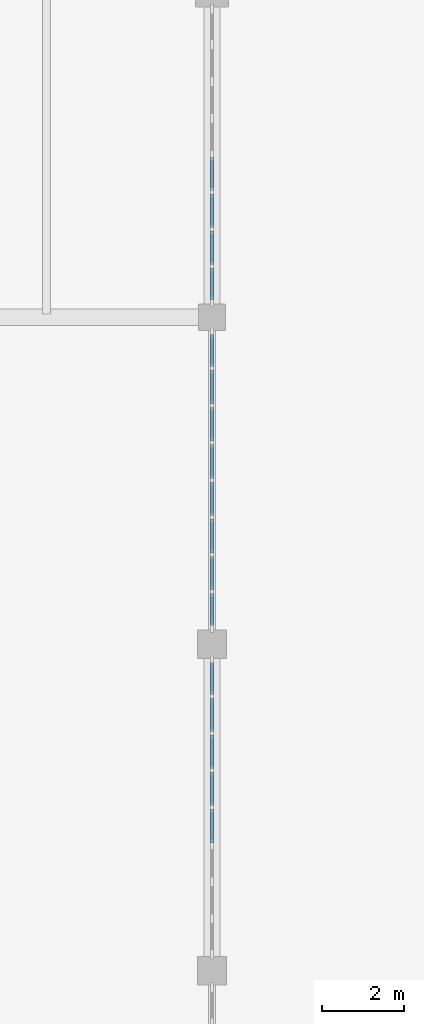
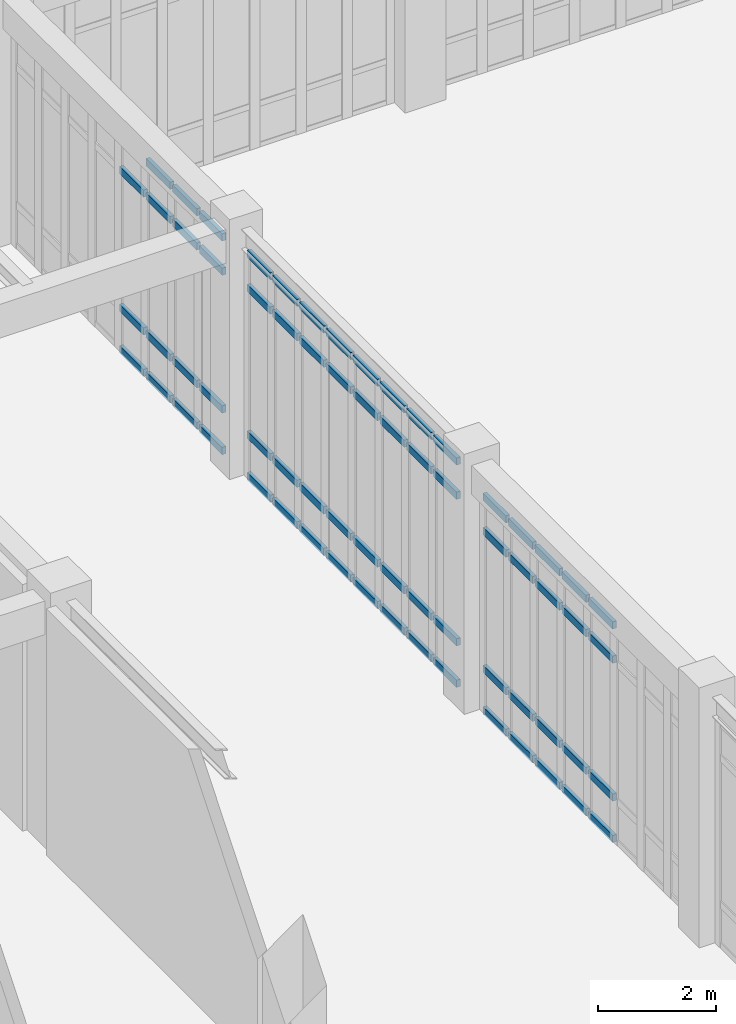
# One storey, part 23 of 62: 67 members, 3 elements without a shape of their own.
"""IFC4 building model written with IfcOpenShell, lengths in metres."""

import ifcopenshell
import ifcopenshell.guid

model = None  # the IFC model being written
_history = None  # IfcOwnerHistory: only IFC2X3 demands one
_inside = {}  # id of a spatial element -> (the spatial element, [elements in it])
_under = {}  # id of a project, library or spatial element -> (it, [spatial elements below it])
_declared = {}  # id of a project -> (the project, [libraries it declares])
_typed = {}  # id of a type object -> (the type object, [elements of that type])
_made_of = {}  # id of a material, layer set ... -> (it, [elements and type objects made of it])


def new_model(schema):
    """Start an empty IFC model of exactly this schema.

    Asked for "IFC4X3", IfcOpenShell would pick the latest addendum, in which some entities
    have other attributes; the version numbers below select the first issue.
    IFC2X3 requires an IfcOwnerHistory on every rooted entity: one is made here for all.
    """
    global model, _history
    if schema == "IFC4X3":
        model = ifcopenshell.file(schema_version=(4, 3, 0, 0))
    else:
        model = ifcopenshell.file(schema=schema)
    _inside.clear()
    _under.clear()
    _declared.clear()
    _typed.clear()
    _made_of.clear()
    _history = None
    if model.schema == "IFC2X3":
        org = make("IfcOrganization", Name="unknown")
        user = make(
            "IfcPersonAndOrganization",
            ThePerson=make("IfcPerson", FamilyName="unknown"),
            TheOrganization=org,
        )
        app = make(
            "IfcApplication",
            ApplicationDeveloper=org,
            Version="unknown",
            ApplicationFullName="unknown",
            ApplicationIdentifier="unknown",
        )
        _history = make(
            "IfcOwnerHistory",
            OwningUser=user,
            OwningApplication=app,
            ChangeAction="ADDED",
            CreationDate=0,
        )
    return model


def make(cls, **values):
    """One entity of the class cls with the attributes given. An attribute that is None is left unset."""
    return model.create_entity(
        cls, **{name: value for name, value in values.items() if value is not None}
    )


def rooted(cls, **values):
    """An entity with a GlobalId (a new one), such as an element, a storey or a relation."""
    return make(cls, GlobalId=ifcopenshell.guid.new(), OwnerHistory=_history, **values)


def si_unit(unit_type, name, prefix=None):
    """IfcSIUnit, for example si_unit("LENGTHUNIT", "METRE", prefix="MILLI")."""
    return make("IfcSIUnit", UnitType=unit_type, Prefix=prefix, Name=name)


def assignment(units):
    """IfcUnitAssignment: the units of a project."""
    return None if units is None else make("IfcUnitAssignment", Units=units)


def point(xyz):
    """IfcCartesianPoint."""
    return None if xyz is None else make("IfcCartesianPoint", Coordinates=xyz)


def direction(xyz):
    """IfcDirection."""
    return None if xyz is None else make("IfcDirection", DirectionRatios=xyz)


def frame(location, z_axis=None, x_axis=None):
    """IfcAxis2Placement3D, a coordinate frame: its origin and axes. An axis left out is left unset."""
    return make(
        "IfcAxis2Placement3D",
        Location=point(location),
        Axis=direction(z_axis),
        RefDirection=direction(x_axis),
    )


def frame_2d(location, x_axis=None):
    """IfcAxis2Placement2D, a coordinate frame in the plane: its origin and x axis."""
    return make(
        "IfcAxis2Placement2D", Location=point(location), RefDirection=direction(x_axis)
    )


def origin():
    """The frame at (0, 0, 0) with its axes left unset."""
    return frame((0.0, 0.0, 0.0))


def origin_2d():
    """The frame at (0, 0) in the plane with its x axis left unset."""
    return frame_2d((0.0, 0.0))


def place(relative_to, where):
    """IfcLocalPlacement: puts the frame where relative to a parent placement (None: the world)."""
    return make(
        "IfcLocalPlacement", PlacementRelTo=relative_to, RelativePlacement=where
    )


def context(
    kind, dimensions, precision=None, world=None, true_north=None, identifier=None
):
    """IfcGeometricRepresentationContext, for example the 3D "Model" context."""
    return make(
        "IfcGeometricRepresentationContext",
        ContextIdentifier=identifier,
        ContextType=kind,
        CoordinateSpaceDimension=dimensions,
        Precision=precision,
        WorldCoordinateSystem=world,
        TrueNorth=true_north,
    )


def subcontext(parent, identifier, kind, view, scale=None):
    """IfcGeometricRepresentationSubContext, for example "Body" below "Model"."""
    return make(
        "IfcGeometricRepresentationSubContext",
        ContextIdentifier=identifier,
        ContextType=kind,
        ParentContext=parent,
        TargetScale=scale,
        TargetView=view,
    )


def project(units=None, contexts=None):
    """IfcProject with its units and contexts."""
    return rooted(
        "IfcProject",
        Name="project",
        RepresentationContexts=contexts,
        UnitsInContext=assignment(units),
    )


def spatial(cls, under=None, at=None, **own):
    """A site, building, storey or space (cls), placed at a placement, below another one or the project."""
    s = rooted(cls, ObjectPlacement=at, **own)
    if under is not None:
        _under.setdefault(under.id(), (under, []))[1].append(s)
    return s


def profile(cls, at=None, kind="AREA", **sizes):
    """A parametric profile (cls). Its sizes go by their IFC names, for example OverallWidth=200.0."""
    return make(cls, ProfileType=kind, Position=at, **sizes)


def rectangle(**sizes):
    """IfcRectangleProfileDef."""
    return profile("IfcRectangleProfileDef", **sizes)


def extrude(swept, where, along, depth):
    """IfcExtrudedAreaSolid: the profile swept, set in the frame where, extruded along a direction by depth."""
    return make(
        "IfcExtrudedAreaSolid",
        SweptArea=swept,
        Position=where,
        ExtrudedDirection=direction(along),
        Depth=depth,
    )


def shape(context_of_items, identifier, shape_type, items):
    """IfcShapeRepresentation: the items that make up one representation, for example the "Body"."""
    return make(
        "IfcShapeRepresentation",
        ContextOfItems=context_of_items,
        RepresentationIdentifier=identifier,
        RepresentationType=shape_type,
        Items=items,
    )


def material(Name=None, Category=None):
    """IfcMaterial."""
    return make("IfcMaterial", Name=Name, Category=Category)


def material_profile(
    of_material, cross_section, Name=None, Category=None, Priority=None
):
    """IfcMaterialProfile: a cross section and its material."""
    return make(
        "IfcMaterialProfile",
        Name=Name,
        Material=of_material,
        Profile=cross_section,
        Priority=Priority,
        Category=Category,
    )


def profile_set(profiles, Name=None, composite=None):
    """IfcMaterialProfileSet."""
    return make(
        "IfcMaterialProfileSet",
        Name=Name,
        MaterialProfiles=profiles,
        CompositeProfile=composite,
    )


def made_of(thing, what):
    """Note that an element or type object is made of a material, layer set ...; save() writes the relation."""
    if what is not None:
        _made_of.setdefault(what.id(), (what, []))[1].append(thing)
    return thing


def type_object(cls, material=None, **own):
    """A type object (cls), such as IfcWallType, which elements share."""
    return made_of(rooted(cls, **own), material)


def element(
    cls,
    number,
    at=None,
    inside=None,
    cuts=None,
    type_object=None,
    material=None,
    context=None,
    identifier="Body",
    shape_type=None,
    held_by="IfcProductDefinitionShape",
    body=None,
    shapes=None,
    **own,
):
    """One element of the class cls, such as IfcWall. Its Tag is "e" and its number.

    at: its placement. inside: the storey or other place that contains it. cuts: it is an
    opening in that element (IfcRelVoidsElement). A single representation is given by context,
    identifier, shape_type and body (its items); several are given by shapes. held_by: the class
    of the entity that holds the representations. save() writes the other relations.
    """
    e = rooted(cls, Tag="e%d" % number, ObjectPlacement=at, **own)
    if body is not None:
        shapes = [shape(context, identifier, shape_type, body)]
    if shapes is not None:
        e.Representation = make(held_by, Representations=shapes)
    if inside is not None:
        _inside.setdefault(inside.id(), (inside, []))[1].append(e)
    if cuts is not None:
        rooted(
            "IfcRelVoidsElement", RelatingBuildingElement=cuts, RelatedOpeningElement=e
        )
    if type_object is not None:
        _typed.setdefault(type_object.id(), (type_object, []))[1].append(e)
    return made_of(e, material)


def aggregate(whole, parts):
    """IfcRelAggregates: a whole, such as a stair, and the parts it consists of."""
    return rooted("IfcRelAggregates", RelatingObject=whole, RelatedObjects=parts)


def save(model, path):
    """Write the relations noted so far, then the file.

    IfcRelAggregates (storeys below a building ...), IfcRelContainedInSpatialStructure (elements
    in a storey), IfcRelDefinesByType, IfcRelAssociatesMaterial and IfcRelDeclares: one each for
    every whole, place, type object, material and project.
    """
    for whole, parts in _under.values():
        aggregate(whole, parts)
    for where, things in _inside.values():
        rooted(
            "IfcRelContainedInSpatialStructure",
            RelatedElements=things,
            RelatingStructure=where,
        )
    for kind, things in _typed.values():
        rooted("IfcRelDefinesByType", RelatedObjects=things, RelatingType=kind)
    for what, things in _made_of.values():
        rooted("IfcRelAssociatesMaterial", RelatedObjects=things, RelatingMaterial=what)
    for by, libraries in _declared.values():
        rooted("IfcRelDeclares", RelatingContext=by, RelatedDefinitions=libraries)
    model.write(path)


model = new_model("IFC4")

# Units and contexts
model_context = context("Model", 3, precision=1e-05, world=origin(), true_north=direction((0.0, 1.0)))
body_context = subcontext(model_context, "Body", "Model", "MODEL_VIEW")
ifc_project = project(units=[si_unit("LENGTHUNIT", "METRE"), si_unit("AREAUNIT", "SQUARE_METRE"), si_unit("VOLUMEUNIT", "CUBIC_METRE"), si_unit("PLANEANGLEUNIT", "RADIAN"), si_unit("MASSUNIT", "GRAM", prefix="KILO")], contexts=[model_context])

# Site, building, storey
site_placement = place(None, origin())
site = spatial("IfcSite", under=ifc_project, at=site_placement, CompositionType="ELEMENT")
building_placement = place(site_placement, origin())
building = spatial("IfcBuilding", under=site, at=building_placement, Name="Tarnveldt Square Police Headquarters", CompositionType="ELEMENT")
storey_placement = place(building_placement, origin())
storey = spatial("IfcBuildingStorey", under=building, at=storey_placement, Name="L00", CompositionType="ELEMENT", Elevation=0.0)

# Curtain wall, members
ifc_material_1 = material(Name="Triple-glazed low-e laminated vision glass", Category="glass")
curtain_wall_type_1 = type_object("IfcCurtainWallType", Name="CW-WG-727x451", PredefinedType="USERDEFINED", material=ifc_material_1)
curtain_wall_1_placement = place(storey_placement, origin())
curtain_wall_1 = element("IfcCurtainWall", 1, at=curtain_wall_1_placement, inside=storey, type_object=curtain_wall_type_1, Name="L00 Curtain Wall CW-L00-064", ObjectType="GLAZED CURTAIN WALL", PredefinedType="USERDEFINED")
ifc_material_2 = material(Name="Thermally broken anodised aluminium 6063-T6", Category="aluminium")
ifc_material_profile = material_profile(ifc_material_2, rectangle(XDim=0.074951171875, YDim=0.14990234375, at=origin_2d()), Name="CW-T75x150")
ifc_profile_set = profile_set([ifc_material_profile], Name="Thermally broken anodised aluminium 6063-T6")
member_type = type_object("IfcMemberType", Name="CWT-75x150", PredefinedType="USERDEFINED", material=ifc_profile_set)
member_1_placement = place(storey_placement, frame((48.60009765625, 75.1337890625, 0.03759765625), z_axis=(0.0, 1.0, 0.0), x_axis=(-1.0, 0.0, 0.0)))
member_1 = element("IfcMember", 2, at=member_1_placement, type_object=member_type, Name="CW-WG24 transom 4.1", ObjectType="TRANSOM", PredefinedType="USERDEFINED", context=body_context, shape_type="SweptSolid", body=[
    extrude(rectangle(XDim=0.074951171875, YDim=0.14990234375, at=origin_2d()), origin(), (0.0, 0.0, 1.0), 0.82373046875),
])
member_2_placement = place(storey_placement, frame((48.60009765625, 75.1337890625, 0.89990234375), z_axis=(0.0, 1.0, 0.0), x_axis=(-1.0, 0.0, 0.0)))
member_2 = element("IfcMember", 3, at=member_2_placement, type_object=member_type, Name="CW-WG24 transom 4.2", ObjectType="TRANSOM", PredefinedType="USERDEFINED", context=body_context, shape_type="SweptSolid", body=[
    extrude(rectangle(XDim=0.074951171875, YDim=0.14990234375, at=origin_2d()), origin(), (0.0, 0.0, 1.0), 0.82373046875),
])
member_3_placement = place(storey_placement, frame((48.60009765625, 75.1337890625, 3.761962890625), z_axis=(0.0, 1.0, 0.0), x_axis=(-1.0, 0.0, 0.0)))
member_3 = element("IfcMember", 4, at=member_3_placement, type_object=member_type, Name="CW-WG24 transom 4.3", ObjectType="TRANSOM", PredefinedType="USERDEFINED", context=body_context, shape_type="SweptSolid", body=[
    extrude(rectangle(XDim=0.074951171875, YDim=0.14990234375, at=origin_2d()), origin(), (0.0, 0.0, 1.0), 0.82373046875),
])
member_4_placement = place(storey_placement, frame((48.60009765625, 75.1337890625, 4.474609375), z_axis=(0.0, 1.0, 0.0), x_axis=(-1.0, 0.0, 0.0)))
member_4 = element("IfcMember", 5, at=member_4_placement, type_object=member_type, Name="CW-WG24 transom 4.4", ObjectType="TRANSOM", PredefinedType="USERDEFINED", context=body_context, shape_type="SweptSolid", body=[
    extrude(rectangle(XDim=0.074951171875, YDim=0.14990234375, at=origin_2d()), origin(), (0.0, 0.0, 1.0), 0.82373046875),
])
member_5_placement = place(storey_placement, frame((48.60009765625, 76.04248046875, 0.03759765625), z_axis=(0.0, 1.0, 0.0), x_axis=(-1.0, 0.0, 0.0)))
member_5 = element("IfcMember", 6, at=member_5_placement, type_object=member_type, Name="CW-WG24 transom 5.1", ObjectType="TRANSOM", PredefinedType="USERDEFINED", context=body_context, shape_type="SweptSolid", body=[
    extrude(rectangle(XDim=0.074951171875, YDim=0.14990234375, at=origin_2d()), origin(), (0.0, 0.0, 1.0), 0.82373046875),
])
member_6_placement = place(storey_placement, frame((48.60009765625, 76.04248046875, 0.89990234375), z_axis=(0.0, 1.0, 0.0), x_axis=(-1.0, 0.0, 0.0)))
member_6 = element("IfcMember", 7, at=member_6_placement, type_object=member_type, Name="CW-WG24 transom 5.2", ObjectType="TRANSOM", PredefinedType="USERDEFINED", context=body_context, shape_type="SweptSolid", body=[
    extrude(rectangle(XDim=0.074951171875, YDim=0.14990234375, at=origin_2d()), origin(), (0.0, 0.0, 1.0), 0.82373046875),
])
member_7_placement = place(storey_placement, frame((48.60009765625, 76.04248046875, 3.761962890625), z_axis=(0.0, 1.0, 0.0), x_axis=(-1.0, 0.0, 0.0)))
member_7 = element("IfcMember", 8, at=member_7_placement, type_object=member_type, Name="CW-WG24 transom 5.3", ObjectType="TRANSOM", PredefinedType="USERDEFINED", context=body_context, shape_type="SweptSolid", body=[
    extrude(rectangle(XDim=0.074951171875, YDim=0.14990234375, at=origin_2d()), origin(), (0.0, 0.0, 1.0), 0.82373046875),
])
member_8_placement = place(storey_placement, frame((48.60009765625, 76.04248046875, 4.474609375), z_axis=(0.0, 1.0, 0.0), x_axis=(-1.0, 0.0, 0.0)))
member_8 = element("IfcMember", 9, at=member_8_placement, type_object=member_type, Name="CW-WG24 transom 5.4", ObjectType="TRANSOM", PredefinedType="USERDEFINED", context=body_context, shape_type="SweptSolid", body=[
    extrude(rectangle(XDim=0.074951171875, YDim=0.14990234375, at=origin_2d()), origin(), (0.0, 0.0, 1.0), 0.82373046875),
])
member_9_placement = place(storey_placement, frame((48.60009765625, 76.951171875, 0.03759765625), z_axis=(0.0, 1.0, 0.0), x_axis=(-1.0, 0.0, 0.0)))
member_9 = element("IfcMember", 10, at=member_9_placement, type_object=member_type, Name="CW-WG24 transom 6.1", ObjectType="TRANSOM", PredefinedType="USERDEFINED", context=body_context, shape_type="SweptSolid", body=[
    extrude(rectangle(XDim=0.074951171875, YDim=0.14990234375, at=origin_2d()), origin(), (0.0, 0.0, 1.0), 0.82373046875),
])
member_10_placement = place(storey_placement, frame((48.60009765625, 76.951171875, 0.89990234375), z_axis=(0.0, 1.0, 0.0), x_axis=(-1.0, 0.0, 0.0)))
member_10 = element("IfcMember", 11, at=member_10_placement, type_object=member_type, Name="CW-WG24 transom 6.2", ObjectType="TRANSOM", PredefinedType="USERDEFINED", context=body_context, shape_type="SweptSolid", body=[
    extrude(rectangle(XDim=0.074951171875, YDim=0.14990234375, at=origin_2d()), origin(), (0.0, 0.0, 1.0), 0.82373046875),
])
member_11_placement = place(storey_placement, frame((48.60009765625, 76.951171875, 3.761962890625), z_axis=(0.0, 1.0, 0.0), x_axis=(-1.0, 0.0, 0.0)))
member_11 = element("IfcMember", 12, at=member_11_placement, type_object=member_type, Name="CW-WG24 transom 6.3", ObjectType="TRANSOM", PredefinedType="USERDEFINED", context=body_context, shape_type="SweptSolid", body=[
    extrude(rectangle(XDim=0.074951171875, YDim=0.14990234375, at=origin_2d()), origin(), (0.0, 0.0, 1.0), 0.82373046875),
])
member_12_placement = place(storey_placement, frame((48.60009765625, 76.951171875, 4.474609375), z_axis=(0.0, 1.0, 0.0), x_axis=(-1.0, 0.0, 0.0)))
member_12 = element("IfcMember", 13, at=member_12_placement, type_object=member_type, Name="CW-WG24 transom 6.4", ObjectType="TRANSOM", PredefinedType="USERDEFINED", context=body_context, shape_type="SweptSolid", body=[
    extrude(rectangle(XDim=0.074951171875, YDim=0.14990234375, at=origin_2d()), origin(), (0.0, 0.0, 1.0), 0.82373046875),
])
member_13_placement = place(storey_placement, frame((48.60009765625, 77.860107421875, 0.03759765625), z_axis=(0.0, 1.0, 0.0), x_axis=(-1.0, 0.0, 0.0)))
member_13 = element("IfcMember", 14, at=member_13_placement, type_object=member_type, Name="CW-WG24 transom 7.1", ObjectType="TRANSOM", PredefinedType="USERDEFINED", context=body_context, shape_type="SweptSolid", body=[
    extrude(rectangle(XDim=0.074951171875, YDim=0.14990234375, at=origin_2d()), origin(), (0.0, 0.0, 1.0), 0.82373046875),
])
member_14_placement = place(storey_placement, frame((48.60009765625, 77.860107421875, 0.89990234375), z_axis=(0.0, 1.0, 0.0), x_axis=(-1.0, 0.0, 0.0)))
member_14 = element("IfcMember", 15, at=member_14_placement, type_object=member_type, Name="CW-WG24 transom 7.2", ObjectType="TRANSOM", PredefinedType="USERDEFINED", context=body_context, shape_type="SweptSolid", body=[
    extrude(rectangle(XDim=0.074951171875, YDim=0.14990234375, at=origin_2d()), origin(), (0.0, 0.0, 1.0), 0.82373046875),
])
member_15_placement = place(storey_placement, frame((48.60009765625, 77.860107421875, 3.761962890625), z_axis=(0.0, 1.0, 0.0), x_axis=(-1.0, 0.0, 0.0)))
member_15 = element("IfcMember", 16, at=member_15_placement, type_object=member_type, Name="CW-WG24 transom 7.3", ObjectType="TRANSOM", PredefinedType="USERDEFINED", context=body_context, shape_type="SweptSolid", body=[
    extrude(rectangle(XDim=0.074951171875, YDim=0.14990234375, at=origin_2d()), origin(), (0.0, 0.0, 1.0), 0.82373046875),
])
member_16_placement = place(storey_placement, frame((48.60009765625, 77.860107421875, 4.474609375), z_axis=(0.0, 1.0, 0.0), x_axis=(-1.0, 0.0, 0.0)))
member_16 = element("IfcMember", 17, at=member_16_placement, type_object=member_type, Name="CW-WG24 transom 7.4", ObjectType="TRANSOM", PredefinedType="USERDEFINED", context=body_context, shape_type="SweptSolid", body=[
    extrude(rectangle(XDim=0.074951171875, YDim=0.14990234375, at=origin_2d()), origin(), (0.0, 0.0, 1.0), 0.82373046875),
])
member_17_placement = place(storey_placement, frame((48.60009765625, 78.768798828125, 0.03759765625), z_axis=(0.0, 1.0, 0.0), x_axis=(-1.0, 0.0, 0.0)))
member_17 = element("IfcMember", 18, at=member_17_placement, type_object=member_type, Name="CW-WG24 transom 8.1", ObjectType="TRANSOM", PredefinedType="USERDEFINED", context=body_context, shape_type="SweptSolid", body=[
    extrude(rectangle(XDim=0.074951171875, YDim=0.14990234375, at=origin_2d()), origin(), (0.0, 0.0, 1.0), 0.78125),
])
member_18_placement = place(storey_placement, frame((48.60009765625, 78.768798828125, 0.89990234375), z_axis=(0.0, 1.0, 0.0), x_axis=(-1.0, 0.0, 0.0)))
member_18 = element("IfcMember", 19, at=member_18_placement, type_object=member_type, Name="CW-WG24 transom 8.2", ObjectType="TRANSOM", PredefinedType="USERDEFINED", context=body_context, shape_type="SweptSolid", body=[
    extrude(rectangle(XDim=0.074951171875, YDim=0.14990234375, at=origin_2d()), origin(), (0.0, 0.0, 1.0), 0.78125),
])
member_19_placement = place(storey_placement, frame((48.60009765625, 78.768798828125, 3.761962890625), z_axis=(0.0, 1.0, 0.0), x_axis=(-1.0, 0.0, 0.0)))
member_19 = element("IfcMember", 20, at=member_19_placement, type_object=member_type, Name="CW-WG24 transom 8.3", ObjectType="TRANSOM", PredefinedType="USERDEFINED", context=body_context, shape_type="SweptSolid", body=[
    extrude(rectangle(XDim=0.074951171875, YDim=0.14990234375, at=origin_2d()), origin(), (0.0, 0.0, 1.0), 0.78125),
])
member_20_placement = place(storey_placement, frame((48.60009765625, 78.768798828125, 4.474609375), z_axis=(0.0, 1.0, 0.0), x_axis=(-1.0, 0.0, 0.0)))
member_20 = element("IfcMember", 21, at=member_20_placement, type_object=member_type, Name="CW-WG24 transom 8.4", ObjectType="TRANSOM", PredefinedType="USERDEFINED", context=body_context, shape_type="SweptSolid", body=[
    extrude(rectangle(XDim=0.074951171875, YDim=0.14990234375, at=origin_2d()), origin(), (0.0, 0.0, 1.0), 0.78125),
])
aggregate(curtain_wall_1, [member_1, member_2, member_3, member_4, member_5, member_6, member_7, member_8, member_9, member_10, member_11, member_12, member_13, member_14, member_15, member_16, member_17, member_18, member_19, member_20])

curtain_wall_type_2 = type_object("IfcCurtainWallType", Name="CW-WG-730x470", PredefinedType="USERDEFINED", material=ifc_material_1)
curtain_wall_2_placement = place(storey_placement, origin())
curtain_wall_2 = element("IfcCurtainWall", 22, at=curtain_wall_2_placement, inside=storey, type_object=curtain_wall_type_2, Name="L00 Curtain Wall CW-L00-065", ObjectType="GLAZED CURTAIN WALL", PredefinedType="USERDEFINED")
member_21_placement = place(storey_placement, frame((48.60009765625, 80.449951171875, 0.03759765625), z_axis=(0.0, 1.0, 0.0), x_axis=(-1.0, 0.0, 0.0)))
member_21 = element("IfcMember", 23, at=member_21_placement, type_object=member_type, Name="CW-WG26 transom 1.1", ObjectType="TRANSOM", PredefinedType="USERDEFINED", context=body_context, shape_type="SweptSolid", body=[
    extrude(rectangle(XDim=0.074951171875, YDim=0.14990234375, at=origin_2d()), origin(), (0.0, 0.0, 1.0), 0.784423828125),
])
member_22_placement = place(storey_placement, frame((48.60009765625, 80.449951171875, 0.89990234375), z_axis=(0.0, 1.0, 0.0), x_axis=(-1.0, 0.0, 0.0)))
member_22 = element("IfcMember", 24, at=member_22_placement, type_object=member_type, Name="CW-WG26 transom 1.2", ObjectType="TRANSOM", PredefinedType="USERDEFINED", context=body_context, shape_type="SweptSolid", body=[
    extrude(rectangle(XDim=0.074951171875, YDim=0.14990234375, at=origin_2d()), origin(), (0.0, 0.0, 1.0), 0.784423828125),
])
member_23_placement = place(storey_placement, frame((48.60009765625, 80.449951171875, 3.945068359375), z_axis=(0.0, 1.0, 0.0), x_axis=(-1.0, 0.0, 0.0)))
member_23 = element("IfcMember", 25, at=member_23_placement, type_object=member_type, Name="CW-WG26 transom 1.3", ObjectType="TRANSOM", PredefinedType="USERDEFINED", context=body_context, shape_type="SweptSolid", body=[
    extrude(rectangle(XDim=0.074951171875, YDim=0.14990234375, at=origin_2d()), origin(), (0.0, 0.0, 1.0), 0.784423828125),
])
member_24_placement = place(storey_placement, frame((48.60009765625, 80.449951171875, 4.657470703125), z_axis=(0.0, 1.0, 0.0), x_axis=(-1.0, 0.0, 0.0)))
member_24 = element("IfcMember", 26, at=member_24_placement, type_object=member_type, Name="CW-WG26 transom 1.4", ObjectType="TRANSOM", PredefinedType="USERDEFINED", context=body_context, shape_type="SweptSolid", body=[
    extrude(rectangle(XDim=0.074951171875, YDim=0.14990234375, at=origin_2d()), origin(), (0.0, 0.0, 1.0), 0.784423828125),
])
member_25_placement = place(storey_placement, frame((48.60009765625, 81.3193359375, 0.03759765625), z_axis=(0.0, 1.0, 0.0), x_axis=(-1.0, 0.0, 0.0)))
member_25 = element("IfcMember", 27, at=member_25_placement, type_object=member_type, Name="CW-WG26 transom 2.1", ObjectType="TRANSOM", PredefinedType="USERDEFINED", context=body_context, shape_type="SweptSolid", body=[
    extrude(rectangle(XDim=0.074951171875, YDim=0.14990234375, at=origin_2d()), origin(), (0.0, 0.0, 1.0), 0.826904296875),
])
member_26_placement = place(storey_placement, frame((48.60009765625, 81.3193359375, 0.89990234375), z_axis=(0.0, 1.0, 0.0), x_axis=(-1.0, 0.0, 0.0)))
member_26 = element("IfcMember", 28, at=member_26_placement, type_object=member_type, Name="CW-WG26 transom 2.2", ObjectType="TRANSOM", PredefinedType="USERDEFINED", context=body_context, shape_type="SweptSolid", body=[
    extrude(rectangle(XDim=0.074951171875, YDim=0.14990234375, at=origin_2d()), origin(), (0.0, 0.0, 1.0), 0.826904296875),
])
member_27_placement = place(storey_placement, frame((48.60009765625, 81.3193359375, 3.945068359375), z_axis=(0.0, 1.0, 0.0), x_axis=(-1.0, 0.0, 0.0)))
member_27 = element("IfcMember", 29, at=member_27_placement, type_object=member_type, Name="CW-WG26 transom 2.3", ObjectType="TRANSOM", PredefinedType="USERDEFINED", context=body_context, shape_type="SweptSolid", body=[
    extrude(rectangle(XDim=0.074951171875, YDim=0.14990234375, at=origin_2d()), origin(), (0.0, 0.0, 1.0), 0.826904296875),
])
member_28_placement = place(storey_placement, frame((48.60009765625, 81.3193359375, 4.657470703125), z_axis=(0.0, 1.0, 0.0), x_axis=(-1.0, 0.0, 0.0)))
member_28 = element("IfcMember", 30, at=member_28_placement, type_object=member_type, Name="CW-WG26 transom 2.4", ObjectType="TRANSOM", PredefinedType="USERDEFINED", context=body_context, shape_type="SweptSolid", body=[
    extrude(rectangle(XDim=0.074951171875, YDim=0.14990234375, at=origin_2d()), origin(), (0.0, 0.0, 1.0), 0.826904296875),
])
member_29_placement = place(storey_placement, frame((48.60009765625, 82.231201171875, 0.03759765625), z_axis=(0.0, 1.0, 0.0), x_axis=(-1.0, 0.0, 0.0)))
member_29 = element("IfcMember", 31, at=member_29_placement, type_object=member_type, Name="CW-WG26 transom 3.1", ObjectType="TRANSOM", PredefinedType="USERDEFINED", context=body_context, shape_type="SweptSolid", body=[
    extrude(rectangle(XDim=0.074951171875, YDim=0.14990234375, at=origin_2d()), origin(), (0.0, 0.0, 1.0), 0.826904296875),
])
member_30_placement = place(storey_placement, frame((48.60009765625, 82.231201171875, 0.89990234375), z_axis=(0.0, 1.0, 0.0), x_axis=(-1.0, 0.0, 0.0)))
member_30 = element("IfcMember", 32, at=member_30_placement, type_object=member_type, Name="CW-WG26 transom 3.2", ObjectType="TRANSOM", PredefinedType="USERDEFINED", context=body_context, shape_type="SweptSolid", body=[
    extrude(rectangle(XDim=0.074951171875, YDim=0.14990234375, at=origin_2d()), origin(), (0.0, 0.0, 1.0), 0.826904296875),
])
member_31_placement = place(storey_placement, frame((48.60009765625, 82.231201171875, 3.945068359375), z_axis=(0.0, 1.0, 0.0), x_axis=(-1.0, 0.0, 0.0)))
member_31 = element("IfcMember", 33, at=member_31_placement, type_object=member_type, Name="CW-WG26 transom 3.3", ObjectType="TRANSOM", PredefinedType="USERDEFINED", context=body_context, shape_type="SweptSolid", body=[
    extrude(rectangle(XDim=0.074951171875, YDim=0.14990234375, at=origin_2d()), origin(), (0.0, 0.0, 1.0), 0.826904296875),
])
member_32_placement = place(storey_placement, frame((48.60009765625, 82.231201171875, 4.657470703125), z_axis=(0.0, 1.0, 0.0), x_axis=(-1.0, 0.0, 0.0)))
member_32 = element("IfcMember", 34, at=member_32_placement, type_object=member_type, Name="CW-WG26 transom 3.4", ObjectType="TRANSOM", PredefinedType="USERDEFINED", context=body_context, shape_type="SweptSolid", body=[
    extrude(rectangle(XDim=0.074951171875, YDim=0.14990234375, at=origin_2d()), origin(), (0.0, 0.0, 1.0), 0.826904296875),
])
member_33_placement = place(storey_placement, frame((48.60009765625, 83.14306640625, 0.03759765625), z_axis=(0.0, 1.0, 0.0), x_axis=(-1.0, 0.0, 0.0)))
member_33 = element("IfcMember", 35, at=member_33_placement, type_object=member_type, Name="CW-WG26 transom 4.1", ObjectType="TRANSOM", PredefinedType="USERDEFINED", context=body_context, shape_type="SweptSolid", body=[
    extrude(rectangle(XDim=0.074951171875, YDim=0.14990234375, at=origin_2d()), origin(), (0.0, 0.0, 1.0), 0.826904296875),
])
member_34_placement = place(storey_placement, frame((48.60009765625, 83.14306640625, 0.89990234375), z_axis=(0.0, 1.0, 0.0), x_axis=(-1.0, 0.0, 0.0)))
member_34 = element("IfcMember", 36, at=member_34_placement, type_object=member_type, Name="CW-WG26 transom 4.2", ObjectType="TRANSOM", PredefinedType="USERDEFINED", context=body_context, shape_type="SweptSolid", body=[
    extrude(rectangle(XDim=0.074951171875, YDim=0.14990234375, at=origin_2d()), origin(), (0.0, 0.0, 1.0), 0.826904296875),
])
member_35_placement = place(storey_placement, frame((48.60009765625, 83.14306640625, 3.945068359375), z_axis=(0.0, 1.0, 0.0), x_axis=(-1.0, 0.0, 0.0)))
member_35 = element("IfcMember", 37, at=member_35_placement, type_object=member_type, Name="CW-WG26 transom 4.3", ObjectType="TRANSOM", PredefinedType="USERDEFINED", context=body_context, shape_type="SweptSolid", body=[
    extrude(rectangle(XDim=0.074951171875, YDim=0.14990234375, at=origin_2d()), origin(), (0.0, 0.0, 1.0), 0.826904296875),
])
member_36_placement = place(storey_placement, frame((48.60009765625, 83.14306640625, 4.657470703125), z_axis=(0.0, 1.0, 0.0), x_axis=(-1.0, 0.0, 0.0)))
member_36 = element("IfcMember", 38, at=member_36_placement, type_object=member_type, Name="CW-WG26 transom 4.4", ObjectType="TRANSOM", PredefinedType="USERDEFINED", context=body_context, shape_type="SweptSolid", body=[
    extrude(rectangle(XDim=0.074951171875, YDim=0.14990234375, at=origin_2d()), origin(), (0.0, 0.0, 1.0), 0.826904296875),
])
member_37_placement = place(storey_placement, frame((48.60009765625, 84.054931640625, 0.03759765625), z_axis=(0.0, 1.0, 0.0), x_axis=(-1.0, 0.0, 0.0)))
member_37 = element("IfcMember", 39, at=member_37_placement, type_object=member_type, Name="CW-WG26 transom 5.1", ObjectType="TRANSOM", PredefinedType="USERDEFINED", context=body_context, shape_type="SweptSolid", body=[
    extrude(rectangle(XDim=0.074951171875, YDim=0.14990234375, at=origin_2d()), origin(), (0.0, 0.0, 1.0), 0.826904296875),
])
member_38_placement = place(storey_placement, frame((48.60009765625, 84.054931640625, 0.89990234375), z_axis=(0.0, 1.0, 0.0), x_axis=(-1.0, 0.0, 0.0)))
member_38 = element("IfcMember", 40, at=member_38_placement, type_object=member_type, Name="CW-WG26 transom 5.2", ObjectType="TRANSOM", PredefinedType="USERDEFINED", context=body_context, shape_type="SweptSolid", body=[
    extrude(rectangle(XDim=0.074951171875, YDim=0.14990234375, at=origin_2d()), origin(), (0.0, 0.0, 1.0), 0.826904296875),
])
member_39_placement = place(storey_placement, frame((48.60009765625, 84.054931640625, 3.945068359375), z_axis=(0.0, 1.0, 0.0), x_axis=(-1.0, 0.0, 0.0)))
member_39 = element("IfcMember", 41, at=member_39_placement, type_object=member_type, Name="CW-WG26 transom 5.3", ObjectType="TRANSOM", PredefinedType="USERDEFINED", context=body_context, shape_type="SweptSolid", body=[
    extrude(rectangle(XDim=0.074951171875, YDim=0.14990234375, at=origin_2d()), origin(), (0.0, 0.0, 1.0), 0.826904296875),
])
member_40_placement = place(storey_placement, frame((48.60009765625, 84.054931640625, 4.657470703125), z_axis=(0.0, 1.0, 0.0), x_axis=(-1.0, 0.0, 0.0)))
member_40 = element("IfcMember", 42, at=member_40_placement, type_object=member_type, Name="CW-WG26 transom 5.4", ObjectType="TRANSOM", PredefinedType="USERDEFINED", context=body_context, shape_type="SweptSolid", body=[
    extrude(rectangle(XDim=0.074951171875, YDim=0.14990234375, at=origin_2d()), origin(), (0.0, 0.0, 1.0), 0.826904296875),
])
member_41_placement = place(storey_placement, frame((48.60009765625, 84.966796875, 0.03759765625), z_axis=(0.0, 1.0, 0.0), x_axis=(-1.0, 0.0, 0.0)))
member_41 = element("IfcMember", 43, at=member_41_placement, type_object=member_type, Name="CW-WG26 transom 6.1", ObjectType="TRANSOM", PredefinedType="USERDEFINED", context=body_context, shape_type="SweptSolid", body=[
    extrude(rectangle(XDim=0.074951171875, YDim=0.14990234375, at=origin_2d()), origin(), (0.0, 0.0, 1.0), 0.826904296875),
])
member_42_placement = place(storey_placement, frame((48.60009765625, 84.966796875, 0.89990234375), z_axis=(0.0, 1.0, 0.0), x_axis=(-1.0, 0.0, 0.0)))
member_42 = element("IfcMember", 44, at=member_42_placement, type_object=member_type, Name="CW-WG26 transom 6.2", ObjectType="TRANSOM", PredefinedType="USERDEFINED", context=body_context, shape_type="SweptSolid", body=[
    extrude(rectangle(XDim=0.074951171875, YDim=0.14990234375, at=origin_2d()), origin(), (0.0, 0.0, 1.0), 0.826904296875),
])
member_43_placement = place(storey_placement, frame((48.60009765625, 84.966796875, 3.945068359375), z_axis=(0.0, 1.0, 0.0), x_axis=(-1.0, 0.0, 0.0)))
member_43 = element("IfcMember", 45, at=member_43_placement, type_object=member_type, Name="CW-WG26 transom 6.3", ObjectType="TRANSOM", PredefinedType="USERDEFINED", context=body_context, shape_type="SweptSolid", body=[
    extrude(rectangle(XDim=0.074951171875, YDim=0.14990234375, at=origin_2d()), origin(), (0.0, 0.0, 1.0), 0.826904296875),
])
member_44_placement = place(storey_placement, frame((48.60009765625, 84.966796875, 4.657470703125), z_axis=(0.0, 1.0, 0.0), x_axis=(-1.0, 0.0, 0.0)))
member_44 = element("IfcMember", 46, at=member_44_placement, type_object=member_type, Name="CW-WG26 transom 6.4", ObjectType="TRANSOM", PredefinedType="USERDEFINED", context=body_context, shape_type="SweptSolid", body=[
    extrude(rectangle(XDim=0.074951171875, YDim=0.14990234375, at=origin_2d()), origin(), (0.0, 0.0, 1.0), 0.826904296875),
])
member_45_placement = place(storey_placement, frame((48.60009765625, 85.878662109375, 0.03759765625), z_axis=(0.0, 1.0, 0.0), x_axis=(-1.0, 0.0, 0.0)))
member_45 = element("IfcMember", 47, at=member_45_placement, type_object=member_type, Name="CW-WG26 transom 7.1", ObjectType="TRANSOM", PredefinedType="USERDEFINED", context=body_context, shape_type="SweptSolid", body=[
    extrude(rectangle(XDim=0.074951171875, YDim=0.14990234375, at=origin_2d()), origin(), (0.0, 0.0, 1.0), 0.826904296875),
])
member_46_placement = place(storey_placement, frame((48.60009765625, 85.878662109375, 0.89990234375), z_axis=(0.0, 1.0, 0.0), x_axis=(-1.0, 0.0, 0.0)))
member_46 = element("IfcMember", 48, at=member_46_placement, type_object=member_type, Name="CW-WG26 transom 7.2", ObjectType="TRANSOM", PredefinedType="USERDEFINED", context=body_context, shape_type="SweptSolid", body=[
    extrude(rectangle(XDim=0.074951171875, YDim=0.14990234375, at=origin_2d()), origin(), (0.0, 0.0, 1.0), 0.826904296875),
])
member_47_placement = place(storey_placement, frame((48.60009765625, 85.878662109375, 3.945068359375), z_axis=(0.0, 1.0, 0.0), x_axis=(-1.0, 0.0, 0.0)))
member_47 = element("IfcMember", 49, at=member_47_placement, type_object=member_type, Name="CW-WG26 transom 7.3", ObjectType="TRANSOM", PredefinedType="USERDEFINED", context=body_context, shape_type="SweptSolid", body=[
    extrude(rectangle(XDim=0.074951171875, YDim=0.14990234375, at=origin_2d()), origin(), (0.0, 0.0, 1.0), 0.826904296875),
])
member_48_placement = place(storey_placement, frame((48.60009765625, 85.878662109375, 4.657470703125), z_axis=(0.0, 1.0, 0.0), x_axis=(-1.0, 0.0, 0.0)))
member_48 = element("IfcMember", 50, at=member_48_placement, type_object=member_type, Name="CW-WG26 transom 7.4", ObjectType="TRANSOM", PredefinedType="USERDEFINED", context=body_context, shape_type="SweptSolid", body=[
    extrude(rectangle(XDim=0.074951171875, YDim=0.14990234375, at=origin_2d()), origin(), (0.0, 0.0, 1.0), 0.826904296875),
])
member_49_placement = place(storey_placement, frame((48.60009765625, 86.79052734375, 0.03759765625), z_axis=(0.0, 1.0, 0.0), x_axis=(-1.0, 0.0, 0.0)))
member_49 = element("IfcMember", 51, at=member_49_placement, type_object=member_type, Name="CW-WG26 transom 8.1", ObjectType="TRANSOM", PredefinedType="USERDEFINED", context=body_context, shape_type="SweptSolid", body=[
    extrude(rectangle(XDim=0.074951171875, YDim=0.14990234375, at=origin_2d()), origin(), (0.0, 0.0, 1.0), 0.784423828125),
])
member_50_placement = place(storey_placement, frame((48.60009765625, 86.79052734375, 0.89990234375), z_axis=(0.0, 1.0, 0.0), x_axis=(-1.0, 0.0, 0.0)))
member_50 = element("IfcMember", 52, at=member_50_placement, type_object=member_type, Name="CW-WG26 transom 8.2", ObjectType="TRANSOM", PredefinedType="USERDEFINED", context=body_context, shape_type="SweptSolid", body=[
    extrude(rectangle(XDim=0.074951171875, YDim=0.14990234375, at=origin_2d()), origin(), (0.0, 0.0, 1.0), 0.784423828125),
])
member_51_placement = place(storey_placement, frame((48.60009765625, 86.79052734375, 3.945068359375), z_axis=(0.0, 1.0, 0.0), x_axis=(-1.0, 0.0, 0.0)))
member_51 = element("IfcMember", 53, at=member_51_placement, type_object=member_type, Name="CW-WG26 transom 8.3", ObjectType="TRANSOM", PredefinedType="USERDEFINED", context=body_context, shape_type="SweptSolid", body=[
    extrude(rectangle(XDim=0.074951171875, YDim=0.14990234375, at=origin_2d()), origin(), (0.0, 0.0, 1.0), 0.784423828125),
])
member_52_placement = place(storey_placement, frame((48.60009765625, 86.79052734375, 4.657470703125), z_axis=(0.0, 1.0, 0.0), x_axis=(-1.0, 0.0, 0.0)))
member_52 = element("IfcMember", 54, at=member_52_placement, type_object=member_type, Name="CW-WG26 transom 8.4", ObjectType="TRANSOM", PredefinedType="USERDEFINED", context=body_context, shape_type="SweptSolid", body=[
    extrude(rectangle(XDim=0.074951171875, YDim=0.14990234375, at=origin_2d()), origin(), (0.0, 0.0, 1.0), 0.784423828125),
])
aggregate(curtain_wall_2, [member_21, member_22, member_23, member_24, member_25, member_26, member_27, member_28, member_29, member_30, member_31, member_32, member_33, member_34, member_35, member_36, member_37, member_38, member_39, member_40, member_41, member_42, member_43, member_44, member_45, member_46, member_47, member_48, member_49, member_50, member_51, member_52])

curtain_wall_type_3 = type_object("IfcCurtainWallType", Name="CW-WG-724x451", PredefinedType="USERDEFINED", material=ifc_material_1)
curtain_wall_3_placement = place(storey_placement, origin())
curtain_wall_3 = element("IfcCurtainWall", 55, at=curtain_wall_3_placement, inside=storey, type_object=curtain_wall_type_3, Name="L00 Curtain Wall CW-L00-066", ObjectType="GLAZED CURTAIN WALL", PredefinedType="USERDEFINED")
member_53_placement = place(storey_placement, frame((48.60009765625, 88.425048828125, 0.03759765625), z_axis=(0.0, 1.0, 0.0), x_axis=(-1.0, 0.0, 0.0)))
member_53 = element("IfcMember", 56, at=member_53_placement, type_object=member_type, Name="CW-WG27 transom 1.1", ObjectType="TRANSOM", PredefinedType="USERDEFINED", context=body_context, shape_type="SweptSolid", body=[
    extrude(rectangle(XDim=0.074951171875, YDim=0.14990234375, at=origin_2d()), origin(), (0.0, 0.0, 1.0), 0.778076171875),
])
member_54_placement = place(storey_placement, frame((48.60009765625, 88.425048828125, 0.89990234375), z_axis=(0.0, 1.0, 0.0), x_axis=(-1.0, 0.0, 0.0)))
member_54 = element("IfcMember", 57, at=member_54_placement, type_object=member_type, Name="CW-WG27 transom 1.2", ObjectType="TRANSOM", PredefinedType="USERDEFINED", context=body_context, shape_type="SweptSolid", body=[
    extrude(rectangle(XDim=0.074951171875, YDim=0.14990234375, at=origin_2d()), origin(), (0.0, 0.0, 1.0), 0.778076171875),
])
member_55_placement = place(storey_placement, frame((48.60009765625, 88.425048828125, 3.761962890625), z_axis=(0.0, 1.0, 0.0), x_axis=(-1.0, 0.0, 0.0)))
member_55 = element("IfcMember", 58, at=member_55_placement, type_object=member_type, Name="CW-WG27 transom 1.3", ObjectType="TRANSOM", PredefinedType="USERDEFINED", context=body_context, shape_type="SweptSolid", body=[
    extrude(rectangle(XDim=0.074951171875, YDim=0.14990234375, at=origin_2d()), origin(), (0.0, 0.0, 1.0), 0.778076171875),
])
member_56_placement = place(storey_placement, frame((48.60009765625, 88.425048828125, 4.474609375), z_axis=(0.0, 1.0, 0.0), x_axis=(-1.0, 0.0, 0.0)))
member_56 = element("IfcMember", 59, at=member_56_placement, type_object=member_type, Name="CW-WG27 transom 1.4", ObjectType="TRANSOM", PredefinedType="USERDEFINED", context=body_context, shape_type="SweptSolid", body=[
    extrude(rectangle(XDim=0.074951171875, YDim=0.14990234375, at=origin_2d()), origin(), (0.0, 0.0, 1.0), 0.778076171875),
])
member_57_placement = place(storey_placement, frame((48.60009765625, 89.2880859375, 0.03759765625), z_axis=(0.0, 1.0, 0.0), x_axis=(-1.0, 0.0, 0.0)))
member_57 = element("IfcMember", 60, at=member_57_placement, type_object=member_type, Name="CW-WG27 transom 2.1", ObjectType="TRANSOM", PredefinedType="USERDEFINED", context=body_context, shape_type="SweptSolid", body=[
    extrude(rectangle(XDim=0.074951171875, YDim=0.14990234375, at=origin_2d()), origin(), (0.0, 0.0, 1.0), 0.820556640625),
])
member_58_placement = place(storey_placement, frame((48.60009765625, 89.2880859375, 0.89990234375), z_axis=(0.0, 1.0, 0.0), x_axis=(-1.0, 0.0, 0.0)))
member_58 = element("IfcMember", 61, at=member_58_placement, type_object=member_type, Name="CW-WG27 transom 2.2", ObjectType="TRANSOM", PredefinedType="USERDEFINED", context=body_context, shape_type="SweptSolid", body=[
    extrude(rectangle(XDim=0.074951171875, YDim=0.14990234375, at=origin_2d()), origin(), (0.0, 0.0, 1.0), 0.820556640625),
])
member_59_placement = place(storey_placement, frame((48.60009765625, 89.2880859375, 3.761962890625), z_axis=(0.0, 1.0, 0.0), x_axis=(-1.0, 0.0, 0.0)))
member_59 = element("IfcMember", 62, at=member_59_placement, type_object=member_type, Name="CW-WG27 transom 2.3", ObjectType="TRANSOM", PredefinedType="USERDEFINED", context=body_context, shape_type="SweptSolid", body=[
    extrude(rectangle(XDim=0.074951171875, YDim=0.14990234375, at=origin_2d()), origin(), (0.0, 0.0, 1.0), 0.820556640625),
])
member_60_placement = place(storey_placement, frame((48.60009765625, 89.2880859375, 4.474609375), z_axis=(0.0, 1.0, 0.0), x_axis=(-1.0, 0.0, 0.0)))
member_60 = element("IfcMember", 63, at=member_60_placement, type_object=member_type, Name="CW-WG27 transom 2.4", ObjectType="TRANSOM", PredefinedType="USERDEFINED", context=body_context, shape_type="SweptSolid", body=[
    extrude(rectangle(XDim=0.074951171875, YDim=0.14990234375, at=origin_2d()), origin(), (0.0, 0.0, 1.0), 0.820556640625),
])
member_61_placement = place(storey_placement, frame((48.60009765625, 90.19384765625, 0.03759765625), z_axis=(0.0, 1.0, 0.0), x_axis=(-1.0, 0.0, 0.0)))
member_61 = element("IfcMember", 64, at=member_61_placement, type_object=member_type, Name="CW-WG27 transom 3.1", ObjectType="TRANSOM", PredefinedType="USERDEFINED", context=body_context, shape_type="SweptSolid", body=[
    extrude(rectangle(XDim=0.074951171875, YDim=0.14990234375, at=origin_2d()), origin(), (0.0, 0.0, 1.0), 0.820556640625),
])
member_62_placement = place(storey_placement, frame((48.60009765625, 90.19384765625, 0.89990234375), z_axis=(0.0, 1.0, 0.0), x_axis=(-1.0, 0.0, 0.0)))
member_62 = element("IfcMember", 65, at=member_62_placement, type_object=member_type, Name="CW-WG27 transom 3.2", ObjectType="TRANSOM", PredefinedType="USERDEFINED", context=body_context, shape_type="SweptSolid", body=[
    extrude(rectangle(XDim=0.074951171875, YDim=0.14990234375, at=origin_2d()), origin(), (0.0, 0.0, 1.0), 0.820556640625),
])
member_63_placement = place(storey_placement, frame((48.60009765625, 90.19384765625, 3.761962890625), z_axis=(0.0, 1.0, 0.0), x_axis=(-1.0, 0.0, 0.0)))
member_63 = element("IfcMember", 66, at=member_63_placement, type_object=member_type, Name="CW-WG27 transom 3.3", ObjectType="TRANSOM", PredefinedType="USERDEFINED", context=body_context, shape_type="SweptSolid", body=[
    extrude(rectangle(XDim=0.074951171875, YDim=0.14990234375, at=origin_2d()), origin(), (0.0, 0.0, 1.0), 0.820556640625),
])
member_64_placement = place(storey_placement, frame((48.60009765625, 90.19384765625, 4.474609375), z_axis=(0.0, 1.0, 0.0), x_axis=(-1.0, 0.0, 0.0)))
member_64 = element("IfcMember", 67, at=member_64_placement, type_object=member_type, Name="CW-WG27 transom 3.4", ObjectType="TRANSOM", PredefinedType="USERDEFINED", context=body_context, shape_type="SweptSolid", body=[
    extrude(rectangle(XDim=0.074951171875, YDim=0.14990234375, at=origin_2d()), origin(), (0.0, 0.0, 1.0), 0.820556640625),
])
member_65_placement = place(storey_placement, frame((48.60009765625, 91.099365234375, 0.03759765625), z_axis=(0.0, 1.0, 0.0), x_axis=(-1.0, 0.0, 0.0)))
member_65 = element("IfcMember", 68, at=member_65_placement, type_object=member_type, Name="CW-WG27 transom 4.1", ObjectType="TRANSOM", PredefinedType="USERDEFINED", context=body_context, shape_type="SweptSolid", body=[
    extrude(rectangle(XDim=0.074951171875, YDim=0.14990234375, at=origin_2d()), origin(), (0.0, 0.0, 1.0), 0.820556640625),
])
member_66_placement = place(storey_placement, frame((48.60009765625, 91.099365234375, 0.89990234375), z_axis=(0.0, 1.0, 0.0), x_axis=(-1.0, 0.0, 0.0)))
member_66 = element("IfcMember", 69, at=member_66_placement, type_object=member_type, Name="CW-WG27 transom 4.2", ObjectType="TRANSOM", PredefinedType="USERDEFINED", context=body_context, shape_type="SweptSolid", body=[
    extrude(rectangle(XDim=0.074951171875, YDim=0.14990234375, at=origin_2d()), origin(), (0.0, 0.0, 1.0), 0.820556640625),
])
member_67_placement = place(storey_placement, frame((48.60009765625, 91.099365234375, 3.761962890625), z_axis=(0.0, 1.0, 0.0), x_axis=(-1.0, 0.0, 0.0)))
member_67 = element("IfcMember", 70, at=member_67_placement, type_object=member_type, Name="CW-WG27 transom 4.3", ObjectType="TRANSOM", PredefinedType="USERDEFINED", context=body_context, shape_type="SweptSolid", body=[
    extrude(rectangle(XDim=0.074951171875, YDim=0.14990234375, at=origin_2d()), origin(), (0.0, 0.0, 1.0), 0.820556640625),
])
aggregate(curtain_wall_3, [member_53, member_54, member_55, member_56, member_57, member_58, member_59, member_60, member_61, member_62, member_63, member_64, member_65, member_66, member_67])

save(model, "model.ifc")
